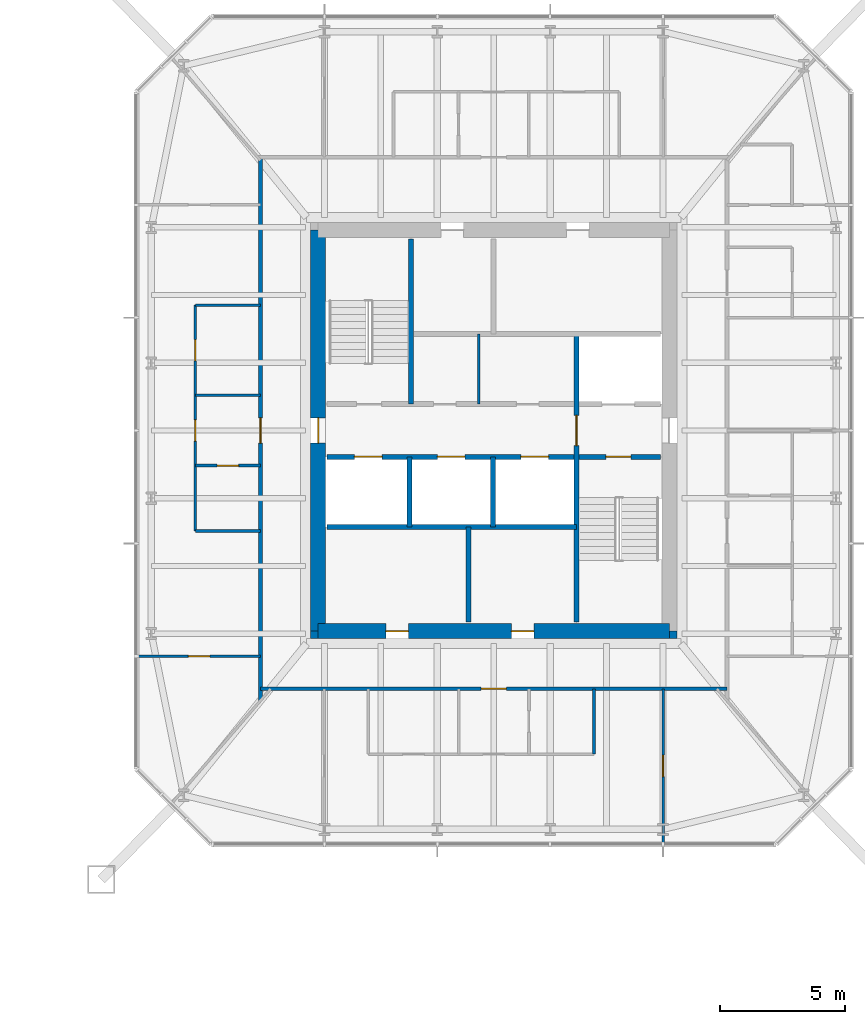
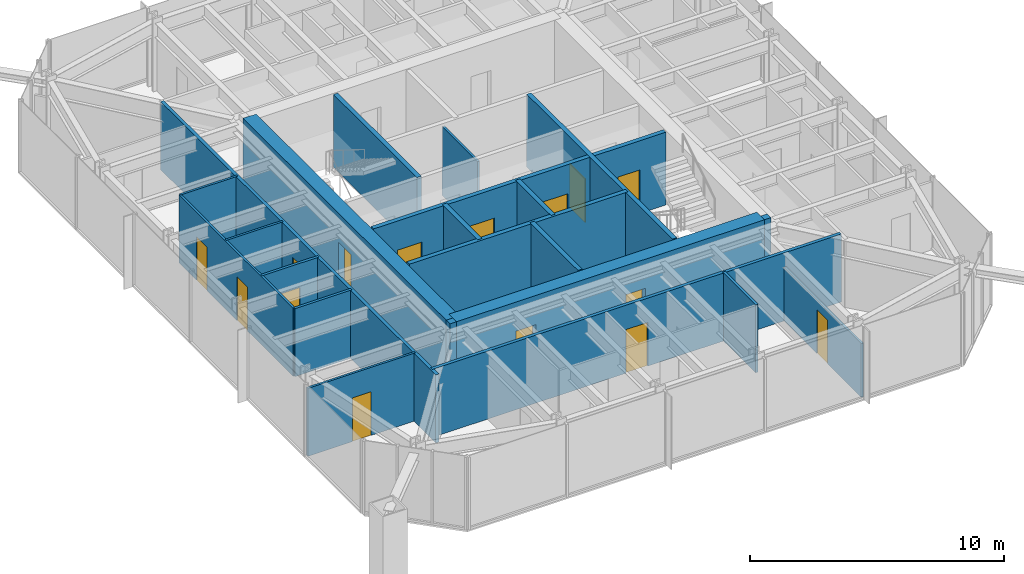
# One storey, part 17 of 25: 22 walls, 15 doors, 15 openings.
"""IFC4 building model written with IfcOpenShell, lengths in metres."""

from ifc_helpers import new_model, si_unit, direction, frame, frame_2d, origin, place, context, subcontext, project, spatial, rectangle, extrude, material, layer, layer_set, type_object, element, fill, save


model = new_model("IFC4")

# Units and contexts
model_context = context("Model", 3, precision=1e-05, world=origin(), true_north=direction((0.0, 1.0)))
body_context = subcontext(model_context, "Body", "Model", "MODEL_VIEW")
ifc_project = project(units=[si_unit("LENGTHUNIT", "METRE"), si_unit("AREAUNIT", "SQUARE_METRE"), si_unit("VOLUMEUNIT", "CUBIC_METRE"), si_unit("PLANEANGLEUNIT", "RADIAN"), si_unit("MASSUNIT", "GRAM", prefix="KILO")], contexts=[model_context])

# Site, building, storey
site_placement = place(None, origin())
site = spatial("IfcSite", under=ifc_project, at=site_placement, CompositionType="ELEMENT")
building_placement = place(site_placement, origin())
building = spatial("IfcBuilding", under=site, at=building_placement, Name="Iwan Alto Co-Living Towers", CompositionType="ELEMENT")
storey_placement = place(building_placement, frame((0.0, 0.0, 105.0)))
storey = spatial("IfcBuildingStorey", under=building, at=storey_placement, Name="L28", CompositionType="ELEMENT", Elevation=105.0)

# Wall, opening, door
ifc_material_1 = material(Name="Gypsum board")
ifc_layer_1 = layer(ifc_material_1, 0.02490234375, Name="Board", Category="Finish")
ifc_material_2 = material(Name="Steel ASTM A1003 ST33H cold-formed studs", Category="steel")
ifc_layer_2 = layer(ifc_material_2, 0.10009765625, Name="Studs", Category="Framing")
ifc_layer_3 = layer(ifc_material_1, 0.02490234375, Name="Board", Category="Finish")
ifc_layer_set_1 = layer_set([ifc_layer_1, ifc_layer_2, ifc_layer_3], Name="CORRIDOR WALL 150")
wall_type_1 = type_object("IfcWallType", Name="CORRIDOR WALL 150", PredefinedType="PARTITIONING", material=ifc_layer_set_1)
wall_1_placement = place(storey_placement, frame((53.699951171875, -10.300048828125, 0.0), z_axis=(0.0, 0.0, 1.0), x_axis=(1.0, 0.0, 0.0)))
wall_1 = element("IfcWall", 1, at=wall_1_placement, inside=storey, type_object=wall_type_1, Name="Partition L28", PredefinedType="PARTITIONING", context=body_context, shape_type="SweptSolid", body=[
    extrude(rectangle(XDim=18.60009765625, YDim=0.14990234375, at=frame_2d((9.300048828125, 0.0))), origin(), (0.0, 0.0, 1.0), 3.27001953125),
])
opening_1_placement = place(wall_1_placement, frame((8.800048828125, 0.0, 0.0)))
opening_1 = element("IfcOpeningElement", 2, at=opening_1_placement, cuts=wall_1, Name="Opening D3", PredefinedType="OPENING", context=body_context, shape_type="SweptSolid", body=[
    extrude(rectangle(XDim=1.0, YDim=2.10009765625, at=frame_2d((0.5, 1.050048828125))), frame((0.0, 0.0849609375, 0.0), z_axis=(0.0, -1.0, 0.0), x_axis=(1.0, 0.0, 0.0)), (0.0, 0.0, 1.0), 0.169921875),
])
ifc_material_3 = material(Name="Steel frame with timber leaf", Category="steel")
door_type_1 = type_object("IfcDoorType", Name="FLAT ENTRANCE DOOR FD30S 1000X2100", OperationType="SINGLE_SWING_LEFT", PredefinedType="DOOR", material=ifc_material_3)
door_1_placement = place(opening_1_placement, frame((1.0, 0.0, 0.0), z_axis=(0.0, 0.0, 1.0), x_axis=(-1.0, 0.0, 0.0)))
door_1 = element("IfcDoor", 3, at=door_1_placement, inside=storey, type_object=door_type_1, Name="Apartment foyer door L28", OperationType="SINGLE_SWING_RIGHT", OverallHeight=2.10009765625, OverallWidth=1.0, PredefinedType="DOOR", context=body_context, shape_type="SweptSolid", body=[
    extrude(rectangle(XDim=1.0, YDim=2.10009765625, at=frame_2d((0.5, 1.050048828125))), frame((0.0, 0.02490234375, 0.0), z_axis=(0.0, -1.0, 0.0), x_axis=(1.0, 0.0, 0.0)), (0.0, 0.0, 1.0), 0.050048828125),
])
fill(opening_1, door_1)

wall_2_placement = place(storey_placement, frame((53.699951171875, -10.76806640625, 0.0), z_axis=(0.0, 0.0, 1.0), x_axis=(0.0, 1.0, 0.0)))
wall_2 = element("IfcWall", 4, at=wall_2_placement, inside=storey, type_object=wall_type_1, Name="Partition L28", PredefinedType="PARTITIONING", context=body_context, shape_type="SweptSolid", body=[
    extrude(rectangle(XDim=21.66796875, YDim=0.14990234375, at=frame_2d((10.833984375, 0.0))), origin(), (0.0, 0.0, 1.0), 3.27001953125),
])
opening_2_placement = place(wall_2_placement, frame((10.26806640625, 0.0, 0.0)))
opening_2 = element("IfcOpeningElement", 5, at=opening_2_placement, cuts=wall_2, Name="Opening D3", PredefinedType="OPENING", context=body_context, shape_type="SweptSolid", body=[
    extrude(rectangle(XDim=1.0, YDim=2.10009765625, at=frame_2d((0.5, 1.050048828125))), frame((0.0, 0.0849609375, 0.0), z_axis=(0.0, -1.0, 0.0), x_axis=(1.0, 0.0, 0.0)), (0.0, 0.0, 1.0), 0.169921875),
])
door_2_placement = place(opening_2_placement, origin())
door_2 = element("IfcDoor", 6, at=door_2_placement, inside=storey, type_object=door_type_1, Name="Apartment foyer door L28", OperationType="SINGLE_SWING_LEFT", OverallHeight=2.10009765625, OverallWidth=1.0, PredefinedType="DOOR", context=body_context, shape_type="SweptSolid", body=[
    extrude(rectangle(XDim=1.0, YDim=2.10009765625, at=frame_2d((0.5, 1.050048828125))), frame((0.0, 0.02490234375, 0.0), z_axis=(0.0, -1.0, 0.0), x_axis=(1.0, 0.0, 0.0)), (0.0, 0.0, 1.0), 0.050048828125),
])
fill(opening_2, door_2)

ifc_layer_4 = layer(ifc_material_1, 0.012451171875, Name="Board", Category="Finish")
ifc_layer_5 = layer(ifc_material_2, 0.074951171875, Name="Studs", Category="Framing")
ifc_layer_6 = layer(ifc_material_1, 0.012451171875, Name="Board", Category="Finish")
ifc_layer_set_2 = layer_set([ifc_layer_4, ifc_layer_5, ifc_layer_6], Name="PARTITION 100")
wall_type_2 = type_object("IfcWallType", Name="PARTITION 100", PredefinedType="PARTITIONING", material=ifc_layer_set_2)
wall_3_placement = place(storey_placement, frame((48.81005859375, -9.0, 0.0), z_axis=(0.0, 0.0, 1.0), x_axis=(1.0, 0.0, 0.0)))
wall_3 = element("IfcWall", 7, at=wall_3_placement, inside=storey, type_object=wall_type_2, Name="Partition L28", PredefinedType="PARTITIONING", context=body_context, shape_type="SweptSolid", body=[
    extrude(rectangle(XDim=4.889892578125, YDim=0.10009765625, at=frame_2d((2.44482421875, 0.0))), origin(), (0.0, 0.0, 1.0), 3.27001953125),
])
opening_3_placement = place(wall_3_placement, frame((2.02001953125, 0.0, 0.0)))
opening_3 = element("IfcOpeningElement", 8, at=opening_3_placement, cuts=wall_3, Name="Opening D2", PredefinedType="OPENING", context=body_context, shape_type="SweptSolid", body=[
    extrude(rectangle(XDim=0.85009765625, YDim=2.10009765625, at=frame_2d((0.425048828125, 1.050048828125))), frame((0.0, 0.06005859375, 0.0), z_axis=(0.0, -1.0, 0.0), x_axis=(1.0, 0.0, 0.0)), (0.0, 0.0, 1.0), 0.1201171875),
])
ifc_material_4 = material(Name="Timber leaf in steel frame", Category="steel")
door_type_2 = type_object("IfcDoorType", Name="ROOM DOOR 850X2100", OperationType="SINGLE_SWING_LEFT", PredefinedType="DOOR", material=ifc_material_4)
door_3_placement = place(opening_3_placement, origin())
door_3 = element("IfcDoor", 9, at=door_3_placement, inside=storey, type_object=door_type_2, Name="Bedroom door L28", OperationType="SINGLE_SWING_RIGHT", OverallHeight=2.10009765625, OverallWidth=0.85009765625, PredefinedType="DOOR", context=body_context, shape_type="SweptSolid", body=[
    extrude(rectangle(XDim=0.85009765625, YDim=2.10009765625, at=frame_2d((0.425048828125, 1.050048828125))), frame((0.0, 0.02490234375, 0.0), z_axis=(0.0, -1.0, 0.0), x_axis=(1.0, 0.0, 0.0)), (0.0, 0.0, 1.0), 0.050048828125),
])
fill(opening_3, door_3)

# Walls
for number, where, z_axis, x_axis, name in (
    (10, (51.10009765625, 1.39990234375, 0.0), (0.0, 0.0, 1.0), (1.0, 0.0, 0.0), "Partition L28"),
    (11, (51.10009765625, 5.0, 0.0), (0.0, 0.0, 1.0), (1.0, 0.0, 0.0), "Partition L28"),
):
    element("IfcWall", number, at=place(storey_placement, frame(where, z_axis=z_axis, x_axis=x_axis)), inside=storey, type_object=wall_type_2, Name=name, PredefinedType="PARTITIONING", context=body_context, shape_type="SweptSolid", body=[
        extrude(rectangle(XDim=2.599853515625, YDim=0.10009765625, at=frame_2d((1.2998046875, 0.0))), origin(), (0.0, 0.0, 1.0), 3.27001953125),
    ])

# Wall, opening, door
wall_4_placement = place(storey_placement, frame((69.75, -16.43994140625, 0.0), z_axis=(0.0, 0.0, 1.0), x_axis=(0.0, 1.0, 0.0)))
wall_4 = element("IfcWall", 12, at=wall_4_placement, inside=storey, type_object=wall_type_2, Name="Partition L28", PredefinedType="PARTITIONING", context=body_context, shape_type="SweptSolid", body=[
    extrude(rectangle(XDim=6.139892578125, YDim=0.10009765625, at=frame_2d((3.06982421875, 0.0))), origin(), (0.0, 0.0, 1.0), 2.586669921875),
])
opening_4_placement = place(wall_4_placement, frame((2.64501953125, 0.0, 0.0)))
opening_4 = element("IfcOpeningElement", 13, at=opening_4_placement, cuts=wall_4, Name="Opening D2", PredefinedType="OPENING", context=body_context, shape_type="SweptSolid", body=[
    extrude(rectangle(XDim=0.85009765625, YDim=2.10009765625, at=frame_2d((0.425048828125, 1.050048828125))), frame((0.0, 0.06005859375, 0.0), z_axis=(0.0, -1.0, 0.0), x_axis=(1.0, 0.0, 0.0)), (0.0, 0.0, 1.0), 0.1201171875),
])
door_4_placement = place(opening_4_placement, origin())
door_4 = element("IfcDoor", 14, at=door_4_placement, inside=storey, type_object=door_type_2, Name="Bedroom door L28", OperationType="SINGLE_SWING_RIGHT", OverallHeight=2.10009765625, OverallWidth=0.85009765625, PredefinedType="DOOR", context=body_context, shape_type="SweptSolid", body=[
    extrude(rectangle(XDim=0.85009765625, YDim=2.10009765625, at=frame_2d((0.425048828125, 1.050048828125))), frame((0.0, 0.02490234375, 0.0), z_axis=(0.0, -1.0, 0.0), x_axis=(1.0, 0.0, 0.0)), (0.0, 0.0, 1.0), 0.050048828125),
])
fill(opening_4, door_4)

# Wall
wall_5_placement = place(storey_placement, frame((62.39990234375, 1.050048828125, 0.0), z_axis=(0.0, 0.0, 1.0), x_axis=(0.0, 1.0, 0.0)))
element("IfcWall", 15, at=wall_5_placement, inside=storey, type_object=wall_type_2, Name="Partition L28", PredefinedType="PARTITIONING", context=body_context, shape_type="SweptSolid", body=[
    extrude(rectangle(XDim=2.800048828125, YDim=0.10009765625, at=frame_2d((1.39990234375, 0.0))), origin(), (0.0, 0.0, 1.0), 3.300048828125),
])

# Wall, openings, doors
wall_6_placement = place(storey_placement, frame((51.10009765625, -4.0, 0.0), z_axis=(0.0, 0.0, 1.0), x_axis=(0.0, 1.0, 0.0)))
wall_6 = element("IfcWall", 16, at=wall_6_placement, inside=storey, type_object=wall_type_2, Name="Partition L28", PredefinedType="PARTITIONING", context=body_context, shape_type="SweptSolid", body=[
    extrude(rectangle(XDim=9.0, YDim=0.10009765625, at=frame_2d((4.5, 0.0))), origin(), (0.0, 0.0, 1.0), 3.27001953125),
])
opening_5_placement = place(wall_6_placement, frame((6.77490234375, 0.0, 0.0)))
opening_5 = element("IfcOpeningElement", 17, at=opening_5_placement, cuts=wall_6, Name="Opening D2", PredefinedType="OPENING", context=body_context, shape_type="SweptSolid", body=[
    extrude(rectangle(XDim=0.85009765625, YDim=2.10009765625, at=frame_2d((0.425048828125, 1.050048828125))), frame((0.0, 0.06005859375, 0.0), z_axis=(0.0, -1.0, 0.0), x_axis=(1.0, 0.0, 0.0)), (0.0, 0.0, 1.0), 0.1201171875),
])
opening_6_placement = place(wall_6_placement, frame((3.574951171875, 0.0, 0.0)))
opening_6 = element("IfcOpeningElement", 18, at=opening_6_placement, cuts=wall_6, Name="Opening D2", PredefinedType="OPENING", context=body_context, shape_type="SweptSolid", body=[
    extrude(rectangle(XDim=0.85009765625, YDim=2.10009765625, at=frame_2d((0.425048828125, 1.050048828125))), frame((0.0, 0.06005859375, 0.0), z_axis=(0.0, -1.0, 0.0), x_axis=(1.0, 0.0, 0.0)), (0.0, 0.0, 1.0), 0.1201171875),
])
door_5_placement = place(opening_5_placement, origin())
door_5 = element("IfcDoor", 19, at=door_5_placement, inside=storey, type_object=door_type_2, Name="Kitchen door L28", OperationType="SINGLE_SWING_RIGHT", OverallHeight=2.10009765625, OverallWidth=0.85009765625, PredefinedType="DOOR", context=body_context, shape_type="SweptSolid", body=[
    extrude(rectangle(XDim=0.85009765625, YDim=2.10009765625, at=frame_2d((0.425048828125, 1.050048828125))), frame((0.0, 0.02490234375, 0.0), z_axis=(0.0, -1.0, 0.0), x_axis=(1.0, 0.0, 0.0)), (0.0, 0.0, 1.0), 0.050048828125),
])
fill(opening_5, door_5)
door_6_placement = place(opening_6_placement, origin())
door_6 = element("IfcDoor", 20, at=door_6_placement, inside=storey, type_object=door_type_2, Name="Apartment foyer door L28", OperationType="SINGLE_SWING_LEFT", OverallHeight=2.10009765625, OverallWidth=0.85009765625, PredefinedType="DOOR", context=body_context, shape_type="SweptSolid", body=[
    extrude(rectangle(XDim=0.85009765625, YDim=2.10009765625, at=frame_2d((0.425048828125, 1.050048828125))), frame((0.0, 0.02490234375, 0.0), z_axis=(0.0, -1.0, 0.0), x_axis=(1.0, 0.0, 0.0)), (0.0, 0.0, 1.0), 0.050048828125),
])
fill(opening_6, door_6)

# Wall
ifc_material_5 = material(Name="Concrete f'c 70 MPa", Category="concrete")
ifc_layer_7 = layer(ifc_material_5, 0.199951171875)
ifc_layer_set_3 = layer_set([ifc_layer_7], Name="SHAFT WALL 200")
wall_type_3 = type_object("IfcWallType", Name="SHAFT WALL 200", PredefinedType="SOLIDWALL", material=ifc_layer_set_3)
wall_7_placement = place(storey_placement, frame((56.360107421875, -3.85009765625, 0.0), z_axis=(0.0, 0.0, 1.0), x_axis=(1.0, 0.0, 0.0)))
element("IfcWall", 21, at=wall_7_placement, inside=storey, type_object=wall_type_3, Name="Shaft wall L28", PredefinedType="SOLIDWALL", context=body_context, shape_type="SweptSolid", body=[
    extrude(rectangle(XDim=9.93994140625, YDim=0.199951171875, at=frame_2d((4.969970703125, 0.0))), origin(), (0.0, 0.0, 1.0), 3.5),
])

# Wall, openings, doors
wall_8_placement = place(storey_placement, frame((56.360107421875, -1.050048828125, 0.0), z_axis=(0.0, 0.0, 1.0), x_axis=(1.0, 0.0, 0.0)))
wall_8 = element("IfcWall", 22, at=wall_8_placement, inside=storey, type_object=wall_type_3, Name="Shaft wall L28", PredefinedType="SOLIDWALL", context=body_context, shape_type="SweptSolid", body=[
    extrude(rectangle(XDim=13.27978515625, YDim=0.199951171875, at=frame_2d((6.639892578125, 0.0))), origin(), (0.0, 0.0, 1.0), 3.5),
])
opening_7_placement = place(wall_8_placement, frame((11.110107421875, 0.0, 0.0)))
opening_7 = element("IfcOpeningElement", 23, at=opening_7_placement, cuts=wall_8, Name="Opening D5", PredefinedType="OPENING", context=body_context, shape_type="SweptSolid", body=[
    extrude(rectangle(XDim=1.0, YDim=2.10009765625, at=frame_2d((0.5, 1.050048828125))), frame((0.0, 0.10986328125, 0.0), z_axis=(0.0, -1.0, 0.0), x_axis=(1.0, 0.0, 0.0)), (0.0, 0.0, 1.0), 0.219970703125),
])
opening_8_placement = place(wall_8_placement, frame((1.0869140625, 0.0, 0.0)))
opening_8 = element("IfcOpeningElement", 24, at=opening_8_placement, cuts=wall_8, Name="Opening LD", PredefinedType="OPENING", context=body_context, shape_type="SweptSolid", body=[
    extrude(rectangle(XDim=1.10009765625, YDim=2.10009765625, at=frame_2d((0.550048828125, 1.050048828125))), frame((0.0, 0.10986328125, 0.0), z_axis=(0.0, -1.0, 0.0), x_axis=(1.0, 0.0, 0.0)), (0.0, 0.0, 1.0), 0.219970703125),
])
opening_9_placement = place(wall_8_placement, frame((4.389892578125, 0.0, 0.0)))
opening_9 = element("IfcOpeningElement", 25, at=opening_9_placement, cuts=wall_8, Name="Opening LD", PredefinedType="OPENING", context=body_context, shape_type="SweptSolid", body=[
    extrude(rectangle(XDim=1.10009765625, YDim=2.10009765625, at=frame_2d((0.550048828125, 1.050048828125))), frame((0.0, 0.10986328125, 0.0), z_axis=(0.0, -1.0, 0.0), x_axis=(1.0, 0.0, 0.0)), (0.0, 0.0, 1.0), 0.219970703125),
])
opening_10_placement = place(wall_8_placement, frame((7.72412109375, 0.0, 0.0)))
opening_10 = element("IfcOpeningElement", 26, at=opening_10_placement, cuts=wall_8, Name="Opening LD", PredefinedType="OPENING", context=body_context, shape_type="SweptSolid", body=[
    extrude(rectangle(XDim=1.10009765625, YDim=2.10009765625, at=frame_2d((0.550048828125, 1.050048828125))), frame((0.0, 0.10986328125, 0.0), z_axis=(0.0, -1.0, 0.0), x_axis=(1.0, 0.0, 0.0)), (0.0, 0.0, 1.0), 0.219970703125),
])
ifc_material_6 = material(Name="Steel frame with timber leaf", Category="steel")
door_type_3 = type_object("IfcDoorType", Name="LIFT LANDING DOOR 1100X2100", OperationType="DOUBLE_DOOR_SLIDING", PredefinedType="DOOR", material=ifc_material_6)
door_7_placement = place(opening_8_placement, origin())
door_7 = element("IfcDoor", 27, at=door_7_placement, inside=storey, type_object=door_type_3, Name="Lift P5-1 landing door L28", OperationType="DOUBLE_DOOR_SLIDING", OverallHeight=2.10009765625, OverallWidth=1.10009765625, PredefinedType="DOOR", context=body_context, shape_type="SweptSolid", body=[
    extrude(rectangle(XDim=1.10009765625, YDim=2.10009765625, at=frame_2d((0.550048828125, 1.050048828125))), frame((0.0, 0.02490234375, 0.0), z_axis=(0.0, -1.0, 0.0), x_axis=(1.0, 0.0, 0.0)), (0.0, 0.0, 1.0), 0.050048828125),
])
fill(opening_8, door_7)
door_8_placement = place(opening_9_placement, origin())
door_8 = element("IfcDoor", 28, at=door_8_placement, inside=storey, type_object=door_type_3, Name="Lift P5-2 landing door L28", OperationType="DOUBLE_DOOR_SLIDING", OverallHeight=2.10009765625, OverallWidth=1.10009765625, PredefinedType="DOOR", context=body_context, shape_type="SweptSolid", body=[
    extrude(rectangle(XDim=1.10009765625, YDim=2.10009765625, at=frame_2d((0.550048828125, 1.050048828125))), frame((0.0, 0.02490234375, 0.0), z_axis=(0.0, -1.0, 0.0), x_axis=(1.0, 0.0, 0.0)), (0.0, 0.0, 1.0), 0.050048828125),
])
fill(opening_9, door_8)
door_9_placement = place(opening_10_placement, origin())
door_9 = element("IfcDoor", 29, at=door_9_placement, inside=storey, type_object=door_type_3, Name="Lift P6-3 landing door L28", OperationType="DOUBLE_DOOR_SLIDING", OverallHeight=2.10009765625, OverallWidth=1.10009765625, PredefinedType="DOOR", context=body_context, shape_type="SweptSolid", body=[
    extrude(rectangle(XDim=1.10009765625, YDim=2.10009765625, at=frame_2d((0.550048828125, 1.050048828125))), frame((0.0, 0.02490234375, 0.0), z_axis=(0.0, -1.0, 0.0), x_axis=(1.0, 0.0, 0.0)), (0.0, 0.0, 1.0), 0.050048828125),
])
fill(opening_10, door_9)
ifc_material_7 = material(Name="Steel frame with timber leaf", Category="steel")
door_type_4 = type_object("IfcDoorType", Name="STAIR DOOR FD120S 1000X2100", OperationType="SINGLE_SWING_LEFT", PredefinedType="DOOR", material=ifc_material_7)
door_10_placement = place(opening_7_placement, frame((1.0, 0.0, 0.0), z_axis=(0.0, 0.0, 1.0), x_axis=(-1.0, 0.0, 0.0)))
door_10 = element("IfcDoor", 30, at=door_10_placement, inside=storey, type_object=door_type_4, Name="Stair S2 door L28", OperationType="SINGLE_SWING_RIGHT", OverallHeight=2.10009765625, OverallWidth=1.0, PredefinedType="DOOR", context=body_context, shape_type="SweptSolid", body=[
    extrude(rectangle(XDim=1.0, YDim=2.10009765625, at=frame_2d((0.5, 1.050048828125))), frame((0.0, 0.02490234375, 0.0), z_axis=(0.0, -1.0, 0.0), x_axis=(1.0, 0.0, 0.0)), (0.0, 0.0, 1.0), 0.050048828125),
])
fill(opening_7, door_10)

# Wall, opening, door
wall_9_placement = place(storey_placement, frame((66.300048828125, -7.639892578125, 0.0), z_axis=(0.0, 0.0, 1.0), x_axis=(0.0, 1.0, 0.0)))
wall_9 = element("IfcWall", 31, at=wall_9_placement, inside=storey, type_object=wall_type_3, Name="Shaft wall L28", PredefinedType="SOLIDWALL", context=body_context, shape_type="SweptSolid", body=[
    extrude(rectangle(XDim=11.489990234375, YDim=0.199951171875, at=frame_2d((5.7451171875, 0.0))), origin(), (0.0, 0.0, 1.0), 3.5),
])
opening_11_placement = place(wall_9_placement, frame((7.0400390625, 0.0, 0.0)))
opening_11 = element("IfcOpeningElement", 32, at=opening_11_placement, cuts=wall_9, Name="Opening D6", PredefinedType="OPENING", context=body_context, shape_type="SweptSolid", body=[
    extrude(rectangle(XDim=1.199951171875, YDim=2.10009765625, at=frame_2d((0.60009765625, 1.050048828125))), frame((0.0, 0.10986328125, 0.0), z_axis=(0.0, -1.0, 0.0), x_axis=(1.0, 0.0, 0.0)), (0.0, 0.0, 1.0), 0.219970703125),
])
ifc_material_8 = material(Name="Steel frame with timber leaf", Category="steel")
door_type_5 = type_object("IfcDoorType", Name="LOBBY DOOR FD120S 1200X2100", OperationType="SINGLE_SWING_LEFT", PredefinedType="DOOR", material=ifc_material_8)
door_11_placement = place(opening_11_placement, frame((1.199951171875, 0.0, 0.0), z_axis=(0.0, 0.0, 1.0), x_axis=(-1.0, 0.0, 0.0)))
door_11 = element("IfcDoor", 33, at=door_11_placement, inside=storey, type_object=door_type_5, Name="Firefighting lobby door L28", OperationType="SINGLE_SWING_RIGHT", OverallHeight=2.10009765625, OverallWidth=1.199951171875, PredefinedType="DOOR", context=body_context, shape_type="SweptSolid", body=[
    extrude(rectangle(XDim=1.199951171875, YDim=2.10009765625, at=frame_2d((0.60009765625, 1.050048828125))), frame((0.0, 0.02490234375, 0.0), z_axis=(0.0, -1.0, 0.0), x_axis=(1.0, 0.0, 0.0)), (0.0, 0.0, 1.0), 0.050048828125),
])
fill(opening_11, door_11)

# Walls
wall_10_placement = place(storey_placement, frame((62.967041015625, -3.85009765625, 0.0), z_axis=(0.0, 0.0, 1.0), x_axis=(0.0, 1.0, 0.0)))
element("IfcWall", 34, at=wall_10_placement, inside=storey, type_object=wall_type_3, Name="Shaft wall L28", PredefinedType="SOLIDWALL", context=body_context, shape_type="SweptSolid", body=[
    extrude(rectangle(XDim=2.800048828125, YDim=0.199951171875, at=frame_2d((1.39990234375, 0.0))), origin(), (0.0, 0.0, 1.0), 3.5),
])
wall_11_placement = place(storey_placement, frame((62.0, -7.639892578125, 0.0), z_axis=(0.0, 0.0, 1.0), x_axis=(0.0, 1.0, 0.0)))
element("IfcWall", 35, at=wall_11_placement, inside=storey, type_object=wall_type_3, Name="Shaft wall L28", PredefinedType="SOLIDWALL", context=body_context, shape_type="SweptSolid", body=[
    extrude(rectangle(XDim=3.789794921875, YDim=0.199951171875, at=frame_2d((1.89501953125, 0.0))), origin(), (0.0, 0.0, 1.0), 3.5),
])
wall_12_placement = place(storey_placement, frame((59.699951171875, 1.050048828125, 0.0), z_axis=(0.0, 0.0, 1.0), x_axis=(0.0, 1.0, 0.0)))
element("IfcWall", 36, at=wall_12_placement, inside=storey, type_object=wall_type_3, Name="Shaft wall L28", PredefinedType="SOLIDWALL", context=body_context, shape_type="SweptSolid", body=[
    extrude(rectangle(XDim=6.58984375, YDim=0.199951171875, at=frame_2d((3.294921875, 0.0))), origin(), (0.0, 0.0, 1.0), 3.5),
])
wall_13_placement = place(storey_placement, frame((59.633056640625, -3.85009765625, 0.0), z_axis=(0.0, 0.0, 1.0), x_axis=(0.0, 1.0, 0.0)))
element("IfcWall", 37, at=wall_13_placement, inside=storey, type_object=wall_type_3, Name="Shaft wall L28", PredefinedType="SOLIDWALL", context=body_context, shape_type="SweptSolid", body=[
    extrude(rectangle(XDim=2.800048828125, YDim=0.199951171875, at=frame_2d((1.39990234375, 0.0))), origin(), (0.0, 0.0, 1.0), 3.5),
])
ifc_material_9 = material(Name="Concrete f'c 70 MPa", Category="concrete")
ifc_layer_8 = layer(ifc_material_9, 0.300048828125)
ifc_layer_set_4 = layer_set([ifc_layer_8], Name="T2 CORE CORNER FILL 300")
wall_type_4 = type_object("IfcWallType", Name="T2 CORE CORNER FILL 300", PredefinedType="SOLIDWALL", material=ifc_layer_set_4)
for number, where, z_axis, x_axis, name in (
    (38, (55.699951171875, -8.14990234375, 0.0), (0.0, 0.0, 1.0), (1.0, 0.0, 0.0), "T2 core corner SW L28"),
    (39, (70.0, -8.14990234375, 0.0), (0.0, 0.0, 1.0), (1.0, 0.0, 0.0), "T2 core corner SE L28"),
):
    element("IfcWall", number, at=place(storey_placement, frame(where, z_axis=z_axis, x_axis=x_axis)), inside=storey, type_object=wall_type_4, Name=name, PredefinedType="SOLIDWALL", context=body_context, shape_type="SweptSolid", body=[
        extrude(rectangle(XDim=0.300048828125, YDim=0.300048828125, at=frame_2d((0.14990234375, 0.0))), origin(), (0.0, 0.0, 1.0), 3.5),
    ])

# Wall, openings, doors
ifc_material_10 = material(Name="Concrete f'c 70 MPa", Category="concrete")
ifc_layer_9 = layer(ifc_material_10, 0.60009765625)
ifc_layer_set_5 = layer_set([ifc_layer_9], Name="T2 CORE WALL 600")
wall_type_5 = type_object("IfcWallType", Name="T2 CORE WALL 600", PredefinedType="SHEAR", material=ifc_layer_set_5)
wall_14_placement = place(storey_placement, frame((56.0, -8.0, 0.0), z_axis=(0.0, 0.0, 1.0), x_axis=(1.0, 0.0, 0.0)))
wall_14 = element("IfcWall", 40, at=wall_14_placement, inside=storey, type_object=wall_type_5, Name="T2 core wall S L28", PredefinedType="SHEAR", context=body_context, shape_type="SweptSolid", body=[
    extrude(rectangle(XDim=14.0, YDim=0.60009765625, at=frame_2d((7.0, 0.0))), origin(), (0.0, 0.0, 1.0), 3.5),
])
opening_12_placement = place(wall_14_placement, frame((2.699951171875, 0.0, 0.0)))
opening_12 = element("IfcOpeningElement", 41, at=opening_12_placement, cuts=wall_14, Name="Opening D8", PredefinedType="OPENING", context=body_context, shape_type="SweptSolid", body=[
    extrude(rectangle(XDim=0.89990234375, YDim=2.10009765625, at=frame_2d((0.449951171875, 1.050048828125))), frame((0.0, 0.31005859375, 0.0), z_axis=(0.0, -1.0, 0.0), x_axis=(1.0, 0.0, 0.0)), (0.0, 0.0, 1.0), 0.6201171875),
])
opening_13_placement = place(wall_14_placement, frame((7.699951171875, 0.0, 0.0)))
opening_13 = element("IfcOpeningElement", 42, at=opening_13_placement, cuts=wall_14, Name="Opening D8", PredefinedType="OPENING", context=body_context, shape_type="SweptSolid", body=[
    extrude(rectangle(XDim=0.89990234375, YDim=2.10009765625, at=frame_2d((0.449951171875, 1.050048828125))), frame((0.0, 0.31005859375, 0.0), z_axis=(0.0, -1.0, 0.0), x_axis=(1.0, 0.0, 0.0)), (0.0, 0.0, 1.0), 0.6201171875),
])
ifc_material_11 = material(Name="Steel frame with timber leaf", Category="steel")
door_type_6 = type_object("IfcDoorType", Name="RISER DOOR FD120 900X2100", OperationType="SINGLE_SWING_LEFT", PredefinedType="DOOR", material=ifc_material_11)
door_12_placement = place(opening_12_placement, origin())
door_12 = element("IfcDoor", 43, at=door_12_placement, inside=storey, type_object=door_type_6, Name="Refuse room core door L28", OperationType="SINGLE_SWING_LEFT", OverallHeight=2.10009765625, OverallWidth=0.89990234375, PredefinedType="DOOR", context=body_context, shape_type="SweptSolid", body=[
    extrude(rectangle(XDim=0.89990234375, YDim=2.10009765625, at=frame_2d((0.449951171875, 1.050048828125))), frame((0.0, 0.02490234375, 0.0), z_axis=(0.0, -1.0, 0.0), x_axis=(1.0, 0.0, 0.0)), (0.0, 0.0, 1.0), 0.050048828125),
])
fill(opening_12, door_12)
door_13_placement = place(opening_13_placement, origin())
door_13 = element("IfcDoor", 44, at=door_13_placement, inside=storey, type_object=door_type_6, Name="Telecom riser core door L28", OperationType="SINGLE_SWING_LEFT", OverallHeight=2.10009765625, OverallWidth=0.89990234375, PredefinedType="DOOR", context=body_context, shape_type="SweptSolid", body=[
    extrude(rectangle(XDim=0.89990234375, YDim=2.10009765625, at=frame_2d((0.449951171875, 1.050048828125))), frame((0.0, 0.02490234375, 0.0), z_axis=(0.0, -1.0, 0.0), x_axis=(1.0, 0.0, 0.0)), (0.0, 0.0, 1.0), 0.050048828125),
])
fill(opening_13, door_13)

# Wall, opening, door
wall_15_placement = place(storey_placement, frame((56.0, 8.0, 0.0), z_axis=(0.0, 0.0, 1.0), x_axis=(0.0, -1.0, 0.0)))
wall_15 = element("IfcWall", 45, at=wall_15_placement, inside=storey, type_object=wall_type_5, Name="T2 core wall W L28", PredefinedType="SHEAR", context=body_context, shape_type="SweptSolid", body=[
    extrude(rectangle(XDim=16.0, YDim=0.60009765625, at=frame_2d((8.0, 0.0))), origin(), (0.0, 0.0, 1.0), 3.5),
])
opening_14_placement = place(wall_15_placement, frame((7.5, 0.0, 0.0)))
opening_14 = element("IfcOpeningElement", 46, at=opening_14_placement, cuts=wall_15, Name="Opening D7", PredefinedType="OPENING", context=body_context, shape_type="SweptSolid", body=[
    extrude(rectangle(XDim=1.0, YDim=2.10009765625, at=frame_2d((0.5, 1.050048828125))), frame((0.0, 0.31005859375, 0.0), z_axis=(0.0, -1.0, 0.0), x_axis=(1.0, 0.0, 0.0)), (0.0, 0.0, 1.0), 0.6201171875),
])
ifc_material_12 = material(Name="Steel frame with timber leaf", Category="steel")
door_type_7 = type_object("IfcDoorType", Name="CORE DOOR FD120S 1000X2100", OperationType="SINGLE_SWING_LEFT", PredefinedType="DOOR", material=ifc_material_12)
door_14_placement = place(opening_14_placement, origin())
door_14 = element("IfcDoor", 47, at=door_14_placement, inside=storey, type_object=door_type_7, Name="Lift lobby core door L28", OperationType="SINGLE_SWING_RIGHT", OverallHeight=2.10009765625, OverallWidth=1.0, PredefinedType="DOOR", context=body_context, shape_type="SweptSolid", body=[
    extrude(rectangle(XDim=1.0, YDim=2.10009765625, at=frame_2d((0.5, 1.050048828125))), frame((0.0, 0.02490234375, 0.0), z_axis=(0.0, -1.0, 0.0), x_axis=(1.0, 0.0, 0.0)), (0.0, 0.0, 1.0), 0.050048828125),
])
fill(opening_14, door_14)

# Wall
ifc_material_13 = material(Name="Cement board")
ifc_layer_10 = layer(ifc_material_13, 0.012451171875, Name="Board", Category="Finish")
ifc_layer_11 = layer(ifc_material_2, 0.094970703125, Name="Studs", Category="Framing")
ifc_layer_12 = layer(ifc_material_13, 0.012451171875, Name="Board", Category="Finish")
ifc_layer_set_6 = layer_set([ifc_layer_10, ifc_layer_11, ifc_layer_12], Name="WET AREA PARTITION 120")
wall_type_6 = type_object("IfcWallType", Name="WET AREA PARTITION 120", PredefinedType="PARTITIONING", material=ifc_layer_set_6)
wall_16_placement = place(storey_placement, frame((51.10009765625, -4.0, 0.0), z_axis=(0.0, 0.0, 1.0), x_axis=(1.0, 0.0, 0.0)))
element("IfcWall", 48, at=wall_16_placement, inside=storey, type_object=wall_type_6, Name="Partition L28", PredefinedType="PARTITIONING", context=body_context, shape_type="SweptSolid", body=[
    extrude(rectangle(XDim=2.599853515625, YDim=0.1201171875, at=frame_2d((1.2998046875, 0.0))), origin(), (0.0, 0.0, 1.0), 3.27001953125),
])

# Wall, opening, door
wall_17_placement = place(storey_placement, frame((51.10009765625, -1.39990234375, 0.0), z_axis=(0.0, 0.0, 1.0), x_axis=(1.0, 0.0, 0.0)))
wall_17 = element("IfcWall", 49, at=wall_17_placement, inside=storey, type_object=wall_type_6, Name="Partition L28", PredefinedType="PARTITIONING", context=body_context, shape_type="SweptSolid", body=[
    extrude(rectangle(XDim=2.599853515625, YDim=0.1201171875, at=frame_2d((1.2998046875, 0.0))), origin(), (0.0, 0.0, 1.0), 3.27001953125),
])
opening_15_placement = place(wall_17_placement, frame((0.875, 0.0, 0.0)))
opening_15 = element("IfcOpeningElement", 50, at=opening_15_placement, cuts=wall_17, Name="Opening D2", PredefinedType="OPENING", context=body_context, shape_type="SweptSolid", body=[
    extrude(rectangle(XDim=0.85009765625, YDim=2.10009765625, at=frame_2d((0.425048828125, 1.050048828125))), frame((0.0, 0.070068359375, 0.0), z_axis=(0.0, -1.0, 0.0), x_axis=(1.0, 0.0, 0.0)), (0.0, 0.0, 1.0), 0.14013671875),
])
door_15_placement = place(opening_15_placement, frame((0.85009765625, 0.0, 0.0), z_axis=(0.0, 0.0, 1.0), x_axis=(-1.0, 0.0, 0.0)))
door_15 = element("IfcDoor", 51, at=door_15_placement, inside=storey, type_object=door_type_2, Name="Bathroom door L28", OperationType="SINGLE_SWING_RIGHT", OverallHeight=2.10009765625, OverallWidth=0.85009765625, PredefinedType="DOOR", context=body_context, shape_type="SweptSolid", body=[
    extrude(rectangle(XDim=0.85009765625, YDim=2.10009765625, at=frame_2d((0.425048828125, 1.050048828125))), frame((0.0, 0.02490234375, 0.0), z_axis=(0.0, -1.0, 0.0), x_axis=(1.0, 0.0, 0.0)), (0.0, 0.0, 1.0), 0.050048828125),
])
fill(opening_15, door_15)

# Wall
wall_18_placement = place(storey_placement, frame((67.0, -12.89990234375, 0.0), z_axis=(0.0, 0.0, 1.0), x_axis=(0.0, 1.0, 0.0)))
element("IfcWall", 52, at=wall_18_placement, inside=storey, type_object=wall_type_6, Name="Partition L28", PredefinedType="PARTITIONING", context=body_context, shape_type="SweptSolid", body=[
    extrude(rectangle(XDim=2.599853515625, YDim=0.1201171875, at=frame_2d((1.2998046875, 0.0))), origin(), (0.0, 0.0, 1.0), 3.27001953125),
])

save(model, "model.ifc")
